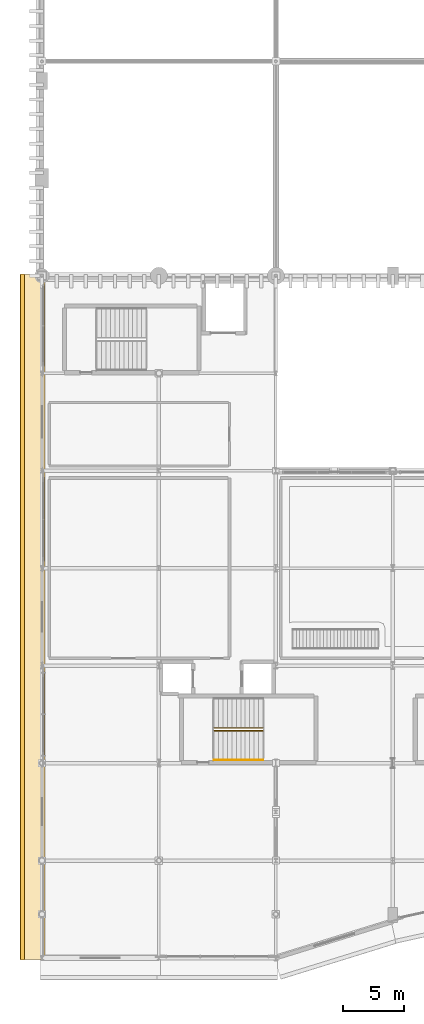
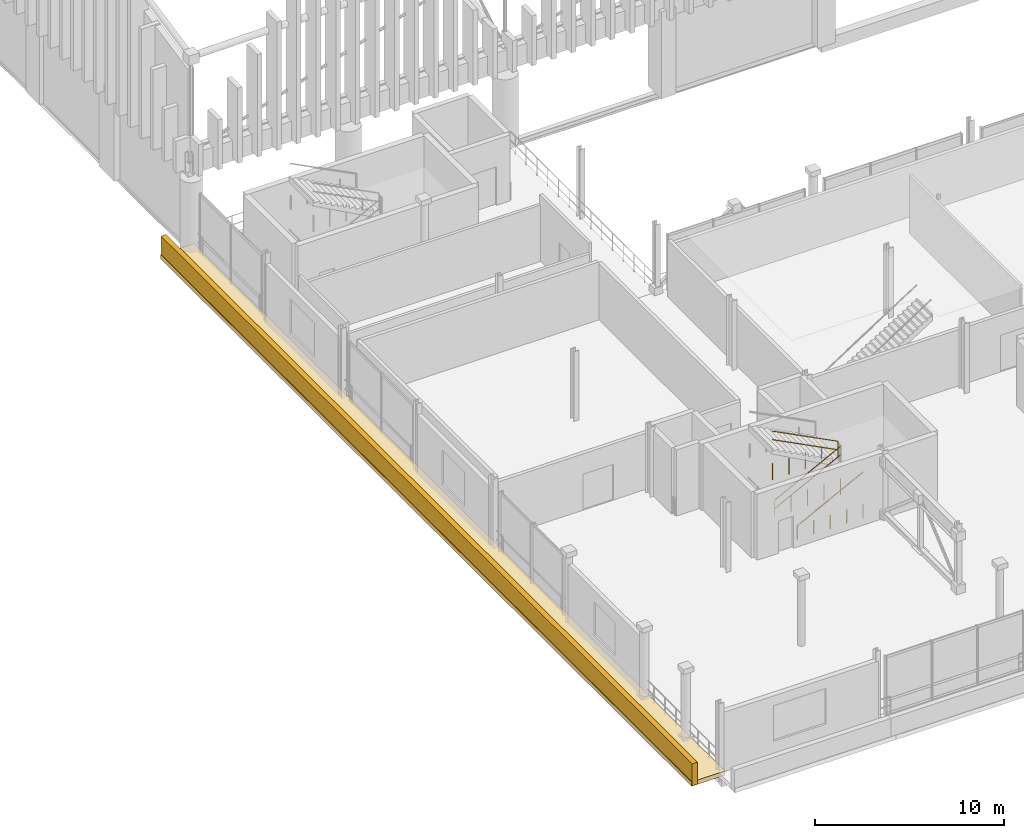
# One storey, part 173 of 193: 3 railings, 2 coverings.
"""IFC4 building model written with IfcOpenShell, lengths in metres."""

from ifc_helpers import new_model, si_unit, direction, frame, origin, origin_2d, place, context, subcontext, project, spatial, rectangle, circle, extrude, material, layer, layer_set, type_object, element, save


model = new_model("IFC4")

# Units and contexts
model_context = context("Model", 3, precision=1e-05, world=origin(), true_north=direction((0.0, 1.0)))
body_context = subcontext(model_context, "Body", "Model", "MODEL_VIEW")
ifc_project = project(units=[si_unit("LENGTHUNIT", "METRE"), si_unit("AREAUNIT", "SQUARE_METRE"), si_unit("VOLUMEUNIT", "CUBIC_METRE"), si_unit("PLANEANGLEUNIT", "RADIAN"), si_unit("MASSUNIT", "GRAM", prefix="KILO")], contexts=[model_context])

# Site, building, storey
site_placement = place(None, origin())
site = spatial("IfcSite", under=ifc_project, at=site_placement, CompositionType="ELEMENT")
building_placement = place(site_placement, origin())
building = spatial("IfcBuilding", under=site, at=building_placement, Name="Danafjord Basin Convention Centre", CompositionType="ELEMENT")
storey_placement = place(building_placement, frame((0.0, 0.0, 11.39990234375)))
storey = spatial("IfcBuildingStorey", under=building, at=storey_placement, Name="L02", CompositionType="ELEMENT", Elevation=11.39990234375)

# Coverings
ifc_material_1 = material(Name="Architectural white precast concrete C45/55", Category="concrete")
ifc_layer = layer(ifc_material_1, 0.320068359375)
ifc_layer_set = layer_set([ifc_layer], Name="Architectural white precast concrete C45/55")
covering_type = type_object("IfcCoveringType", Name="COV-BAND-HORIZ", PredefinedType="CLADDING", material=ifc_layer_set)
covering_1_placement = place(storey_placement, frame((-0.77490234375, 28.0, -0.27978515625), z_axis=(0.0, 0.0, 1.0), x_axis=(0.0, -1.0, 0.0)))
element("IfcCovering", 1, at=covering_1_placement, inside=storey, type_object=covering_type, Name="L02 stepped horizontal band soffit plate 24", PredefinedType="CLADDING", context=body_context, shape_type="SweptSolid", body=[
    extrude(rectangle(XDim=56.239990234375, YDim=2.050048828125, at=origin_2d()), origin(), (0.0, 0.0, 1.0), 0.280029296875),
])
covering_2_placement = place(storey_placement, frame((-1.610107421875, 28.0, -0.23974609375), z_axis=(0.0, 0.0, 1.0), x_axis=(0.0, -1.0, 0.0)))
element("IfcCovering", 2, at=covering_2_placement, inside=storey, type_object=covering_type, Name="L02 layered horizontal white spandrel band 24", PredefinedType="CLADDING", context=body_context, shape_type="SweptSolid", body=[
    extrude(rectangle(XDim=56.280029296875, YDim=0.320068359375, at=origin_2d()), origin(), (0.0, 0.0, 1.0), 1.419921875),
])

# Railings
ifc_material_2 = material(Name="Galvanised steel S355", Category="steel")
railing_type_1 = type_object("IfcRailingType", Name="RL-GD-WELL", PredefinedType="BALUSTRADE", material=ifc_material_2)
railing_1_placement = place(storey_placement, frame((14.1298828125, 18.659912109375, 0.1875)))
element("IfcRailing", 3, at=railing_1_placement, inside=storey, type_object=railing_type_1, Name="L02 ST-01 stair guard 1", PredefinedType="BALUSTRADE", context=body_context, shape_type="SweptSolid", body=[
    extrude(circle(Radius=0.02392578125, at=origin_2d()), frame((0.0, 0.0, 1.076171875), z_axis=(0.889506420944, 0.0, 0.45692267081), x_axis=(0.0, 1.0, 0.0)), (0.0, 0.0, 1.0), 4.513916015625),
    extrude(circle(Radius=0.02392578125, at=origin_2d()), frame((0.0, 0.0, 0.52587890625), z_axis=(0.889506420944, 0.0, 0.45692267081), x_axis=(0.0, 1.0, 0.0)), (0.0, 0.0, 1.0), 4.513916015625),
    extrude(circle(Radius=0.02099609375, at=origin_2d()), origin(), (0.0, 0.0, 1.0), 1.050048828125),
    extrude(circle(Radius=0.02099609375, at=origin_2d()), frame((1.00390625, 0.0, 0.0)), (0.0, 0.0, 1.0), 1.050048828125),
    extrude(circle(Radius=0.02099609375, at=origin_2d()), frame((2.007568359375, 0.0, 0.0)), (0.0, 0.0, 1.0), 1.050048828125),
    extrude(circle(Radius=0.02099609375, at=origin_2d()), frame((3.01123046875, 0.0, 0.0)), (0.0, 0.0, 1.0), 1.050048828125),
    extrude(circle(Radius=0.02099609375, at=origin_2d()), frame((4.01513671875, 0.0, 0.0)), (0.0, 0.0, 1.0), 1.050048828125),
])
railing_2_placement = place(storey_placement, frame((18.14501953125, 18.89990234375, 2.4375)))
element("IfcRailing", 4, at=railing_2_placement, inside=storey, type_object=railing_type_1, Name="L02 ST-01 stair guard 3", PredefinedType="BALUSTRADE", context=body_context, shape_type="SweptSolid", body=[
    extrude(circle(Radius=0.02392578125, at=origin_2d()), frame((0.0, 0.0, 1.076171875), z_axis=(-0.889506420944, 0.0, 0.45692267081), x_axis=(0.0, -1.0, 0.0)), (0.0, 0.0, 1.0), 4.513916015625),
    extrude(circle(Radius=0.02392578125, at=origin_2d()), frame((0.0, 0.0, 0.52587890625), z_axis=(-0.889506420944, 0.0, 0.45692267081), x_axis=(0.0, -1.0, 0.0)), (0.0, 0.0, 1.0), 4.513916015625),
    extrude(circle(Radius=0.02099609375, at=origin_2d()), origin(), (0.0, 0.0, 1.0), 1.050048828125),
    extrude(circle(Radius=0.02099609375, at=origin_2d()), frame((-1.00390625, 0.0, 0.0)), (0.0, 0.0, 1.0), 1.050048828125),
    extrude(circle(Radius=0.02099609375, at=origin_2d()), frame((-2.007568359375, 0.0, 0.0)), (0.0, 0.0, 1.0), 1.050048828125),
    extrude(circle(Radius=0.02099609375, at=origin_2d()), frame((-3.01123046875, 0.0, 0.0)), (0.0, 0.0, 1.0), 1.050048828125),
    extrude(circle(Radius=0.02099609375, at=origin_2d()), frame((-4.01513671875, 0.0, 0.0)), (0.0, 0.0, 1.0), 1.050048828125),
])
ifc_material_3 = material(Name="Brushed stainless steel EN 1.4404", Category="steel")
railing_type_2 = type_object("IfcRailingType", Name="RL-HR-STAIR", PredefinedType="HANDRAIL", material=ifc_material_3)
railing_3_placement = place(storey_placement, frame((14.1298828125, 16.260009765625, 0.1875)))
element("IfcRailing", 5, at=railing_3_placement, inside=storey, type_object=railing_type_2, Name="L02 ST-01 stair handrail 1", PredefinedType="HANDRAIL", context=body_context, shape_type="SweptSolid", body=[
    extrude(circle(Radius=0.02392578125, at=origin_2d()), frame((0.0, 0.0, 0.8759765625), z_axis=(0.889506420944, 0.0, 0.45692267081), x_axis=(0.0, 1.0, 0.0)), (0.0, 0.0, 1.0), 4.513916015625),
    extrude(circle(Radius=0.02099609375, at=origin_2d()), origin(), (0.0, 0.0, 1.0), 0.849853515625),
    extrude(circle(Radius=0.02099609375, at=origin_2d()), frame((1.00390625, 0.0, 0.0)), (0.0, 0.0, 1.0), 0.849853515625),
    extrude(circle(Radius=0.02099609375, at=origin_2d()), frame((2.007568359375, 0.0, 0.0)), (0.0, 0.0, 1.0), 0.849853515625),
    extrude(circle(Radius=0.02099609375, at=origin_2d()), frame((3.01123046875, 0.0, 0.0)), (0.0, 0.0, 1.0), 0.849853515625),
    extrude(circle(Radius=0.02099609375, at=origin_2d()), frame((4.01513671875, 0.0, 0.0)), (0.0, 0.0, 1.0), 0.849853515625),
])

save(model, "model.ifc")
